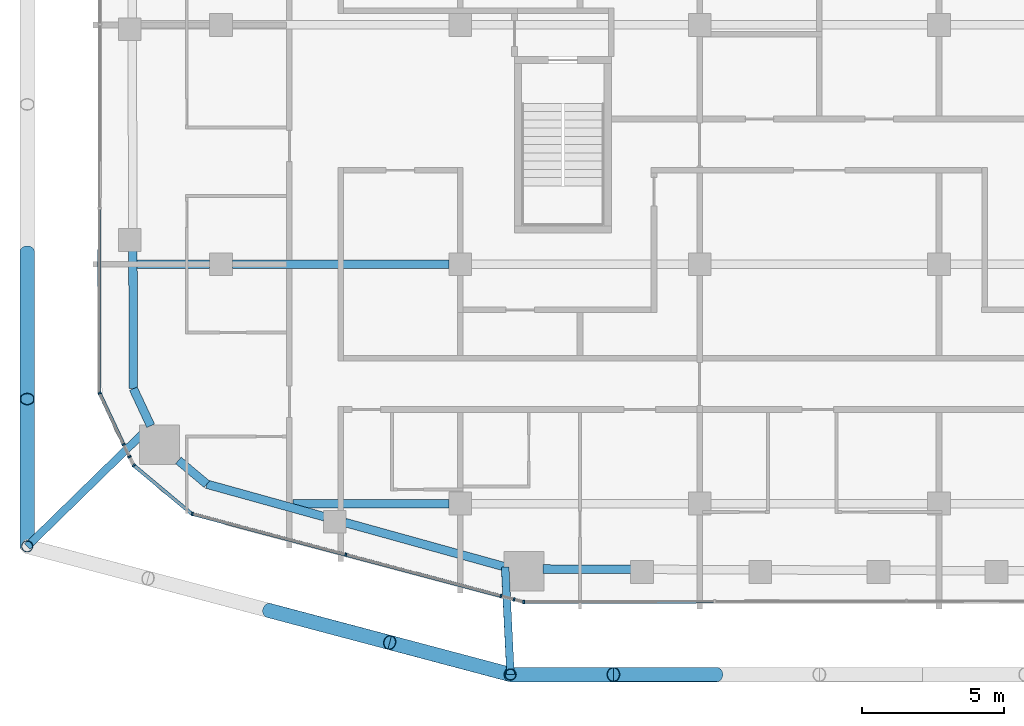
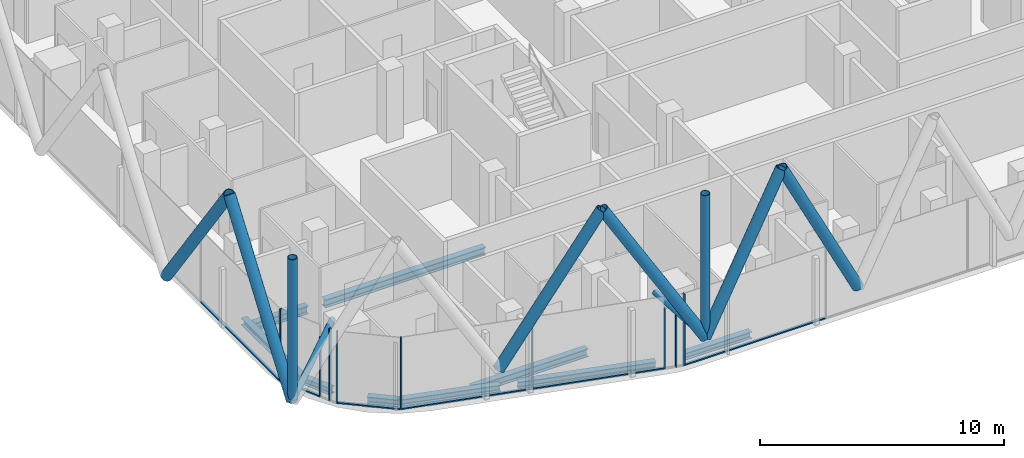
# One storey, part 2 of 28: 25 members, 9 beams, 9 elements without a shape of their own.
"""IFC4 building model written with IfcOpenShell, lengths in metres."""

from ifc_helpers import new_model, si_unit, direction, frame, origin, origin_2d, place, context, subcontext, project, spatial, rectangle, hollow_circle, i_section, extrude, material, layer, layer_set, material_profile, profile_set, type_object, element, aggregate, save


model = new_model("IFC4")

# Units and contexts
model_context = context("Model", 3, precision=1e-05, world=origin(), true_north=direction((0.0, 1.0)))
body_context = subcontext(model_context, "Body", "Model", "MODEL_VIEW")
ifc_project = project(units=[si_unit("LENGTHUNIT", "METRE"), si_unit("AREAUNIT", "SQUARE_METRE"), si_unit("VOLUMEUNIT", "CUBIC_METRE"), si_unit("PLANEANGLEUNIT", "RADIAN"), si_unit("MASSUNIT", "GRAM", prefix="KILO")], contexts=[model_context])

# Site, building, storey
site_placement = place(None, origin())
site = spatial("IfcSite", under=ifc_project, at=site_placement, CompositionType="ELEMENT")
building_placement = place(site_placement, origin())
building = spatial("IfcBuilding", under=site, at=building_placement, Name="Marenta Gate Hotel Tower", CompositionType="ELEMENT")
storey_placement = place(building_placement, frame((0.0, 0.0, 241.699951171875)))
storey = spatial("IfcBuildingStorey", under=building, at=storey_placement, Name="L57", CompositionType="ELEMENT", Elevation=241.699951171875)

# Members
ifc_material_1 = material(Name="Steel S355J2W", Category="steel")
ifc_material_profile_1 = material_profile(ifc_material_1, hollow_circle(Radius=0.203125, WallThickness=0.02490234375, at=origin_2d()), Name="CHS 406.4x25")
ifc_profile_set_1 = profile_set([ifc_material_profile_1], Name="Steel S355J2W")
member_type_1 = type_object("IfcMemberType", Name="Diagrid corner post Z3 CHS 406.4x25", PredefinedType="POST", material=ifc_profile_set_1)
for number, where, z_axis, x_axis, name in (
    (1, (-10.839111328125, -31.199951171875, 3.14013671875), (0.0, 0.0, 1.0), (1.0, 0.0, 0.0), "L57-DR-4"),
    (2, (-27.800048828125, -26.7001953125, 3.14013671875), (0.0, 0.0, 1.0), (1.0, 0.0, 0.0), "L57-DR-5"),
):
    element("IfcMember", number, at=place(storey_placement, frame(where, z_axis=z_axis, x_axis=x_axis)), inside=storey, type_object=member_type_1, Name=name, PredefinedType="POST", context=body_context, shape_type="SweptSolid", body=[
        extrude(hollow_circle(Radius=0.203125, WallThickness=0.02490234375, at=origin_2d()), origin(), (0.0, 0.0, 1.0), 7.199951171875),
    ])
ifc_material_2 = material(Name="Steel S355J2W", Category="steel")
ifc_material_profile_2 = material_profile(ifc_material_2, hollow_circle(Radius=0.25390625, WallThickness=0.02490234375, at=origin_2d()), Name="CHS 508x25")
ifc_profile_set_2 = profile_set([ifc_material_profile_2], Name="Steel S355J2W")
member_type_2 = type_object("IfcMemberType", Name="Diagrid diagonal Z3 CHS 508x25", PredefinedType="BRACE", material=ifc_profile_set_2)
for number, where, z_axis, x_axis, name in (
    (3, (-3.613037109375, -31.199951171875, 3.14013671875), (-0.44851025603, 0.0, 0.893777685018), (0.0, -1.0, 0.0), "L57-DG-19"),
    (4, (-10.839111328125, -31.199951171875, 3.14013671875), (0.44851025603, 0.0, 0.893777685018), (0.0, 1.0, 0.0), "L57-DG-20"),
):
    element("IfcMember", number, at=place(storey_placement, frame(where, z_axis=z_axis, x_axis=x_axis)), inside=storey, type_object=member_type_2, Name=name, PredefinedType="BRACE", context=body_context, shape_type="SweptSolid", body=[
        extrude(hollow_circle(Radius=0.25390625, WallThickness=0.02490234375, at=origin_2d()), origin(), (0.0, 0.0, 1.0), 8.0556640625),
    ])
for number, where, z_axis, x_axis, name in (
    (5, (-10.839111328125, -31.199951171875, 3.14013671875), (-0.502924018666, 0.133433548941, 0.853968921838), (-0.256443187528, -0.96655930577, 0.0), "L57-DG-21"),
    (6, (-19.319580078125, -28.9501953125, 3.14013671875), (0.502925961678, -0.133405107407, 0.853972221087), (0.256391194513, 0.966573098827, 0.0), "L57-DG-22"),
):
    element("IfcMember", number, at=place(storey_placement, frame(where, z_axis=z_axis, x_axis=x_axis)), inside=storey, type_object=member_type_2, Name=name, PredefinedType="BRACE", context=body_context, shape_type="SweptSolid", body=[
        extrude(hollow_circle(Radius=0.25390625, WallThickness=0.02490234375, at=origin_2d()), origin(), (0.0, 0.0, 1.0), 8.43115234375),
    ])
member_1_placement = place(storey_placement, frame((-27.800048828125, -26.7001953125, 3.14013671875), z_axis=(0.0, 0.583279014058, 0.812271870595), x_axis=(-1.0, 0.0, 0.0)))
element("IfcMember", 7, at=member_1_placement, inside=storey, type_object=member_type_2, Name="L57-DG-25", PredefinedType="BRACE", context=body_context, shape_type="SweptSolid", body=[
    extrude(hollow_circle(Radius=0.25390625, WallThickness=0.02490234375, at=origin_2d()), origin(), (0.0, 0.0, 1.0), 8.864013671875),
])
member_2_placement = place(storey_placement, frame((-27.800048828125, -16.360107421875, 3.14013671875), z_axis=(0.0, -0.583260841117, 0.812284919975), x_axis=(1.0, 0.0, 0.0)))
element("IfcMember", 8, at=member_2_placement, inside=storey, type_object=member_type_2, Name="L57-DG-26", PredefinedType="BRACE", context=body_context, shape_type="SweptSolid", body=[
    extrude(hollow_circle(Radius=0.25390625, WallThickness=0.02490234375, at=origin_2d()), origin(), (0.0, 0.0, 1.0), 8.86376953125),
])

# Beams
ifc_material_3 = material(Name="Steel S355", Category="steel")
ifc_material_profile_3 = material_profile(ifc_material_3, i_section(OverallWidth=0.300048828125, OverallDepth=0.340087890625, WebThickness=0.011962890625, FlangeThickness=0.021484375, FilletRadius=0.027099609375, at=origin_2d()), Name="HEB 340")
ifc_profile_set_3 = profile_set([ifc_material_profile_3], Name="Steel S355")
beam_type_1 = type_object("IfcBeamType", Name="Edge beam HEB 340", PredefinedType="SPANDREL", material=ifc_profile_set_3)
beam_1_placement = place(storey_placement, frame((-11.02783203125, -27.42236328125, -0.429931640625), z_axis=(-0.963619240724, 0.267278803699, 0.0), x_axis=(-0.267278803699, -0.963619240724, 0.0)))
element("IfcBeam", 9, at=beam_1_placement, inside=storey, type_object=beam_type_1, Name="L57-EB-1", PredefinedType="SPANDREL", context=body_context, shape_type="SweptSolid", body=[
    extrude(i_section(OverallWidth=0.300048828125, OverallDepth=0.340087890625, WebThickness=0.011962890625, FlangeThickness=0.021484375, FilletRadius=0.027099609375, at=origin_2d()), origin(), (0.0, 0.0, 1.0), 5.82958984375),
])
beam_2_placement = place(storey_placement, frame((-17.3681640625, -25.663818359375, -0.429931640625), z_axis=(-0.963628037304, 0.267247087396, 0.0), x_axis=(-0.267247087396, -0.963628037304, 0.0)))
element("IfcBeam", 10, at=beam_2_placement, inside=storey, type_object=beam_type_1, Name="L57-EB-2", PredefinedType="SPANDREL", context=body_context, shape_type="SweptSolid", body=[
    extrude(i_section(OverallWidth=0.300048828125, OverallDepth=0.340087890625, WebThickness=0.011962890625, FlangeThickness=0.021484375, FilletRadius=0.027099609375, at=origin_2d()), origin(), (0.0, 0.0, 1.0), 4.284423828125),
])
beam_3_placement = place(storey_placement, frame((-21.496826171875, -24.518798828125, -0.429931640625), z_axis=(-0.767065103149, 0.641569269472, 0.0), x_axis=(-0.641569269472, -0.767065103149, 0.0)))
element("IfcBeam", 11, at=beam_3_placement, inside=storey, type_object=beam_type_1, Name="L57-EB-3", PredefinedType="SPANDREL", context=body_context, shape_type="SweptSolid", body=[
    extrude(i_section(OverallWidth=0.300048828125, OverallDepth=0.340087890625, WebThickness=0.011962890625, FlangeThickness=0.021484375, FilletRadius=0.027099609375, at=origin_2d()), origin(), (0.0, 0.0, 1.0), 1.299560546875),
])
beam_4_placement = place(storey_placement, frame((-23.466796875, -22.46923828125, -0.429931640625), z_axis=(-0.423341112024, 0.905970365338, 0.0), x_axis=(-0.905970365338, -0.423341112024, 0.0)))
element("IfcBeam", 12, at=beam_4_placement, inside=storey, type_object=beam_type_1, Name="L57-EB-4", PredefinedType="SPANDREL", context=body_context, shape_type="SweptSolid", body=[
    extrude(i_section(OverallWidth=0.300048828125, OverallDepth=0.340087890625, WebThickness=0.011962890625, FlangeThickness=0.021484375, FilletRadius=0.027099609375, at=origin_2d()), origin(), (0.0, 0.0, 1.0), 1.437255859375),
])
beam_5_placement = place(storey_placement, frame((-24.0751953125, -21.167236328125, -0.429931640625), z_axis=(-0.003318732666, 0.999994492992, 0.0), x_axis=(-0.999994492992, -0.003318732666, 0.0)))
element("IfcBeam", 13, at=beam_5_placement, inside=storey, type_object=beam_type_1, Name="L57-EB-5", PredefinedType="SPANDREL", context=body_context, shape_type="SweptSolid", body=[
    extrude(i_section(OverallWidth=0.300048828125, OverallDepth=0.340087890625, WebThickness=0.011962890625, FlangeThickness=0.021484375, FilletRadius=0.027099609375, at=origin_2d()), origin(), (0.0, 0.0, 1.0), 4.855224609375),
])
beam_6_placement = place(storey_placement, frame((-6.580078125, -27.507568359375, -0.429931640625), z_axis=(-0.99999237665, 0.00390469495, 0.0), x_axis=(-0.00390469495, -0.99999237665, 0.0)))
element("IfcBeam", 14, at=beam_6_placement, inside=storey, type_object=beam_type_1, Name="L57-EB-36", PredefinedType="SPANDREL", context=body_context, shape_type="SweptSolid", body=[
    extrude(i_section(OverallWidth=0.300048828125, OverallDepth=0.340087890625, WebThickness=0.011962890625, FlangeThickness=0.021484375, FilletRadius=0.027099609375, at=origin_2d()), origin(), (0.0, 0.0, 1.0), 3.126220703125),
])

# Members
ifc_material_4 = material(Name="Steel S355J2W", Category="steel")
ifc_material_profile_4 = material_profile(ifc_material_4, hollow_circle(Radius=0.136474609375, WallThickness=0.012451171875, at=origin_2d()), Name="CHS 273x12.5")
ifc_profile_set_4 = profile_set([ifc_material_profile_4], Name="Steel S355J2W")
member_type_3 = type_object("IfcMemberType", Name="Floor tie CHS 273x12.5", PredefinedType="STRUT", material=ifc_profile_set_4)
member_3_placement = place(storey_placement, frame((-10.839111328125, -31.199951171875, 3.14013671875), z_axis=(-0.049850547476, 0.998756688546, 0.0), x_axis=(-0.998756688546, -0.049850547476, 0.0)))
element("IfcMember", 15, at=member_3_placement, inside=storey, type_object=member_type_3, Name="L57-DR-10", PredefinedType="STRUT", context=body_context, shape_type="SweptSolid", body=[
    extrude(hollow_circle(Radius=0.136474609375, WallThickness=0.012451171875, at=origin_2d()), origin(), (0.0, 0.0, 1.0), 3.77587890625),
])
member_4_placement = place(storey_placement, frame((-27.800048828125, -26.7001953125, 3.14013671875), z_axis=(0.715510328178, 0.698602154499, 0.0), x_axis=(-0.698602154499, 0.715510328178, 0.0)))
element("IfcMember", 16, at=member_4_placement, inside=storey, type_object=member_type_3, Name="L57-DR-11", PredefinedType="STRUT", context=body_context, shape_type="SweptSolid", body=[
    extrude(hollow_circle(Radius=0.136474609375, WallThickness=0.012451171875, at=origin_2d()), origin(), (0.0, 0.0, 1.0), 6.050048828125),
])

# Beams
ifc_material_5 = material(Name="Steel S355", Category="steel")
ifc_material_profile_5 = material_profile(ifc_material_5, i_section(OverallWidth=0.300048828125, OverallDepth=0.39990234375, WebThickness=0.013427734375, FlangeThickness=0.02392578125, FilletRadius=0.027099609375, at=origin_2d()), Name="HEB 400")
ifc_profile_set_5 = profile_set([ifc_material_profile_5], Name="Steel S355")
beam_type_2 = type_object("IfcBeamType", Name="Girder HEB 400", PredefinedType="BEAM", material=ifc_profile_set_5)
beam_7_placement = place(storey_placement, frame((-18.479248046875, -25.199951171875, -0.4599609375), z_axis=(1.0, 0.0, 0.0), x_axis=(0.0, 1.0, 0.0)))
element("IfcBeam", 17, at=beam_7_placement, inside=storey, type_object=beam_type_2, Name="L57-GD-1", PredefinedType="BEAM", context=body_context, shape_type="SweptSolid", body=[
    extrude(i_section(OverallWidth=0.300048828125, OverallDepth=0.39990234375, WebThickness=0.013427734375, FlangeThickness=0.02392578125, FilletRadius=0.027099609375, at=origin_2d()), origin(), (0.0, 0.0, 1.0), 5.479248046875),
])
beam_8_placement = place(storey_placement, frame((-23.939697265625, -16.800048828125, -0.4599609375), z_axis=(1.0, 0.0, 0.0), x_axis=(0.0, 1.0, 0.0)))
element("IfcBeam", 18, at=beam_8_placement, inside=storey, type_object=beam_type_2, Name="L57-GD-6", PredefinedType="BEAM", context=body_context, shape_type="SweptSolid", body=[
    extrude(i_section(OverallWidth=0.300048828125, OverallDepth=0.39990234375, WebThickness=0.013427734375, FlangeThickness=0.02392578125, FilletRadius=0.027099609375, at=origin_2d()), origin(), (0.0, 0.0, 1.0), 2.539794921875),
])
beam_9_placement = place(storey_placement, frame((-20.60009765625, -16.800048828125, -0.4599609375), z_axis=(1.0, 0.0, 0.0), x_axis=(0.0, 1.0, 0.0)))
element("IfcBeam", 19, at=beam_9_placement, inside=storey, type_object=beam_type_2, Name="L57-GD-7", PredefinedType="BEAM", context=body_context, shape_type="SweptSolid", body=[
    extrude(i_section(OverallWidth=0.300048828125, OverallDepth=0.39990234375, WebThickness=0.013427734375, FlangeThickness=0.02392578125, FilletRadius=0.027099609375, at=origin_2d()), origin(), (0.0, 0.0, 1.0), 7.60009765625),
])

# Curtain wall, member
ifc_material_6 = material(Name="Tinted insulated glass in bronze anodised frame", Category="glass")
ifc_layer = layer(ifc_material_6, 0.1201171875)
ifc_layer_set = layer_set([ifc_layer], Name="Tinted insulated glass in bronze anodised frame")
curtain_wall_type = type_object("IfcCurtainWallType", Name="Tower unitised curtain wall CW1", PredefinedType="NOTDEFINED", material=ifc_layer_set)
curtain_wall_1_placement = place(storey_placement, origin())
curtain_wall_1 = element("IfcCurtainWall", 20, at=curtain_wall_1_placement, inside=storey, type_object=curtain_wall_type, Name="CW1 run G05", PredefinedType="NOTDEFINED")
ifc_material_7 = material(Name="Bronze anodised aluminium", Category="aluminium")
ifc_material_profile_6 = material_profile(ifc_material_7, rectangle(XDim=0.1201171875, YDim=0.06005859375, at=origin_2d()), Name="Mullion CW1 60x120 bronze anodised aluminium")
ifc_profile_set_6 = profile_set([ifc_material_profile_6], Name="Bronze anodised aluminium")
member_type_4 = type_object("IfcMemberType", Name="Mullion CW1 60x120 bronze anodised aluminium", PredefinedType="MULLION", material=ifc_profile_set_6)
member_5_placement = place(storey_placement, frame((-25.26025390625, -21.321044921875, 0.0), z_axis=(0.0, 0.0, 1.0), x_axis=(0.905974826185, 0.423331565466, 0.0)))
member_5 = element("IfcMember", 21, at=member_5_placement, type_object=member_type_4, Name="CW1 mullion 1", PredefinedType="MULLION", context=body_context, shape_type="SweptSolid", body=[
    extrude(rectangle(XDim=0.1201171875, YDim=0.06005859375, at=origin_2d()), origin(), (0.0, 0.0, 1.0), 3.60009765625),
])

curtain_wall_2_placement = place(storey_placement, origin())
curtain_wall_2 = element("IfcCurtainWall", 22, at=curtain_wall_2_placement, inside=storey, type_object=curtain_wall_type, Name="CW1 run G06", PredefinedType="NOTDEFINED")
member_6_placement = place(storey_placement, frame((-24.418701171875, -23.121826171875, 0.0), z_axis=(0.0, 0.0, 1.0), x_axis=(0.905948786251, 0.423387289241, 0.0)))
member_6 = element("IfcMember", 23, at=member_6_placement, type_object=member_type_4, Name="CW1 mullion 1", PredefinedType="MULLION", context=body_context, shape_type="SweptSolid", body=[
    extrude(rectangle(XDim=0.1201171875, YDim=0.06005859375, at=origin_2d()), origin(), (0.0, 0.0, 1.0), 3.00048828125),
])
aggregate(curtain_wall_2, [member_6])

curtain_wall_3_placement = place(storey_placement, origin())
curtain_wall_3 = element("IfcCurtainWall", 24, at=curtain_wall_3_placement, inside=storey, type_object=curtain_wall_type, Name="CW1 run G07", PredefinedType="NOTDEFINED")
member_7_placement = place(storey_placement, frame((-24.215576171875, -23.556640625, 0.0), z_axis=(0.0, 0.0, 1.0), x_axis=(0.905989668401, 0.423299800084, 0.0)))
member_7 = element("IfcMember", 25, at=member_7_placement, type_object=member_type_4, Name="CW1 mullion 1", PredefinedType="MULLION", context=body_context, shape_type="SweptSolid", body=[
    extrude(rectangle(XDim=0.1201171875, YDim=0.06005859375, at=origin_2d()), origin(), (0.0, 0.0, 1.0), 3.60009765625),
])
aggregate(curtain_wall_3, [member_7])

curtain_wall_4_placement = place(storey_placement, origin())
curtain_wall_4 = element("IfcCurtainWall", 26, at=curtain_wall_4_placement, inside=storey, type_object=curtain_wall_type, Name="CW1 run G08", PredefinedType="NOTDEFINED")
member_8_placement = place(storey_placement, frame((-24.059814453125, -23.85986328125, 0.0), z_axis=(0.0, 0.0, 1.0), x_axis=(0.641524739495, 0.767102345594, 0.0)))
member_8 = element("IfcMember", 27, at=member_8_placement, type_object=member_type_4, Name="CW1 mullion 1", PredefinedType="MULLION", context=body_context, shape_type="SweptSolid", body=[
    extrude(rectangle(XDim=0.1201171875, YDim=0.06005859375, at=origin_2d()), origin(), (0.0, 0.0, 1.0), 3.60009765625),
])

# Curtain wall, members
curtain_wall_5_placement = place(storey_placement, origin())
curtain_wall_5 = element("IfcCurtainWall", 28, at=curtain_wall_5_placement, inside=storey, type_object=curtain_wall_type, Name="CW1 run G09", PredefinedType="NOTDEFINED")
member_9_placement = place(storey_placement, frame((-22.00634765625, -25.560791015625, 0.0), z_axis=(0.0, 0.0, 1.0), x_axis=(0.257131734785, 0.966376360931, 0.0)))
member_9 = element("IfcMember", 29, at=member_9_placement, type_object=member_type_4, Name="CW1 mullion 1", PredefinedType="MULLION", context=body_context, shape_type="SweptSolid", body=[
    extrude(rectangle(XDim=0.1201171875, YDim=0.06005859375, at=origin_2d()), origin(), (0.0, 0.0, 1.0), 3.60009765625),
])
member_10_placement = place(storey_placement, frame((-16.61962890625, -26.994140625, 0.0), z_axis=(0.0, 0.0, 1.0), x_axis=(0.257131734785, 0.966376360931, 0.0)))
member_10 = element("IfcMember", 30, at=member_10_placement, type_object=member_type_4, Name="CW1 mullion 2", PredefinedType="MULLION", context=body_context, shape_type="SweptSolid", body=[
    extrude(rectangle(XDim=0.1201171875, YDim=0.06005859375, at=origin_2d()), origin(), (0.0, 0.0, 1.0), 3.60009765625),
])

# Curtain wall, member
curtain_wall_6_placement = place(storey_placement, origin())
curtain_wall_6 = element("IfcCurtainWall", 31, at=curtain_wall_6_placement, inside=storey, type_object=curtain_wall_type, Name="CW1 run G10", PredefinedType="NOTDEFINED")
member_11_placement = place(storey_placement, frame((-11.1748046875, -28.44287109375, 0.0), z_axis=(0.0, 0.0, 1.0), x_axis=(0.257099982864, 0.966384808868, 0.0)))
member_11 = element("IfcMember", 32, at=member_11_placement, type_object=member_type_4, Name="CW1 mullion 1", PredefinedType="MULLION", context=body_context, shape_type="SweptSolid", body=[
    extrude(rectangle(XDim=0.1201171875, YDim=0.06005859375, at=origin_2d()), origin(), (0.0, 0.0, 1.0), 3.00048828125),
])
aggregate(curtain_wall_6, [member_11])

curtain_wall_7_placement = place(storey_placement, origin())
curtain_wall_7 = element("IfcCurtainWall", 33, at=curtain_wall_7_placement, inside=storey, type_object=curtain_wall_type, Name="CW1 run G11", PredefinedType="NOTDEFINED")
member_12_placement = place(storey_placement, frame((-10.71533203125, -28.565185546875, 0.0), z_axis=(0.0, 0.0, 1.0), x_axis=(0.257431460974, 0.966296560535, 0.0)))
member_12 = element("IfcMember", 34, at=member_12_placement, type_object=member_type_4, Name="CW1 mullion 1", PredefinedType="MULLION", context=body_context, shape_type="SweptSolid", body=[
    extrude(rectangle(XDim=0.1201171875, YDim=0.06005859375, at=origin_2d()), origin(), (0.0, 0.0, 1.0), 3.60009765625),
])
aggregate(curtain_wall_7, [member_12])

curtain_wall_8_placement = place(storey_placement, origin())
curtain_wall_8 = element("IfcCurtainWall", 35, at=curtain_wall_8_placement, inside=storey, type_object=curtain_wall_type, Name="CW1 run G12", PredefinedType="NOTDEFINED")
member_13_placement = place(storey_placement, frame((-10.3759765625, -28.6474609375, 0.0), z_axis=(0.0, 0.0, 1.0), x_axis=(-0.001643488917, 0.999998649471, 0.0)))
member_13 = element("IfcMember", 36, at=member_13_placement, type_object=member_type_4, Name="CW1 mullion 1", PredefinedType="MULLION", context=body_context, shape_type="SweptSolid", body=[
    extrude(rectangle(XDim=0.1201171875, YDim=0.06005859375, at=origin_2d()), origin(), (0.0, 0.0, 1.0), 3.60009765625),
])

curtain_wall_9_placement = place(storey_placement, origin())
curtain_wall_9 = element("IfcCurtainWall", 37, at=curtain_wall_9_placement, inside=storey, type_object=curtain_wall_type, Name="CW1 run G04", PredefinedType="NOTDEFINED")
ifc_material_8 = material(Name="Bronze anodised aluminium", Category="aluminium")
ifc_material_profile_7 = material_profile(ifc_material_8, rectangle(XDim=0.1201171875, YDim=0.06005859375, at=origin_2d()), Name="Transom CW1 60x120 bronze anodised aluminium")
ifc_profile_set_7 = profile_set([ifc_material_profile_7], Name="Bronze anodised aluminium")
member_type_5 = type_object("IfcMemberType", Name="Transom CW1 60x120 bronze anodised aluminium", PredefinedType="USERDEFINED", material=ifc_profile_set_7)
member_14_placement = place(storey_placement, frame((-25.262939453125, -14.86376953125, 0.030029296875), z_axis=(-0.001556743377, -0.999998788274, 0.0), x_axis=(0.999998788274, -0.001556743377, 0.0)))
member_14 = element("IfcMember", 38, at=member_14_placement, type_object=member_type_5, Name="CW1 transom 6.1", ObjectType="TRANSOM", PredefinedType="USERDEFINED", context=body_context, shape_type="SweptSolid", body=[
    extrude(rectangle(XDim=0.1201171875, YDim=0.06005859375, at=origin_2d()), origin(), (0.0, 0.0, 1.0), 6.429931640625),
])
aggregate(curtain_wall_9, [member_14])

# Member
member_15_placement = place(storey_placement, frame((-25.24755859375, -21.34814453125, 0.030029296875), z_axis=(0.423349902149, -0.905966257843, 0.0), x_axis=(0.905966257843, 0.423349902149, 0.0)))
member_15 = element("IfcMember", 39, at=member_15_placement, type_object=member_type_5, Name="CW1 transom 1.1", ObjectType="TRANSOM", PredefinedType="USERDEFINED", context=body_context, shape_type="SweptSolid", body=[
    extrude(rectangle(XDim=0.1201171875, YDim=0.06005859375, at=origin_2d()), origin(), (0.0, 0.0, 1.0), 1.927978515625),
])

aggregate(curtain_wall_1, [member_5, member_15])

member_16_placement = place(storey_placement, frame((-24.036865234375, -23.879150390625, 0.030029296875), z_axis=(0.767100312603, -0.641527170433, 0.0), x_axis=(0.641527170433, 0.767100312603, 0.0)))
member_16 = element("IfcMember", 40, at=member_16_placement, type_object=member_type_5, Name="CW1 transom 1.1", ObjectType="TRANSOM", PredefinedType="USERDEFINED", context=body_context, shape_type="SweptSolid", body=[
    extrude(rectangle(XDim=0.1201171875, YDim=0.06005859375, at=origin_2d()), origin(), (0.0, 0.0, 1.0), 2.609130859375),
])

aggregate(curtain_wall_4, [member_8, member_16])

member_17_placement = place(storey_placement, frame((-21.977294921875, -25.568603515625, 0.030029296875), z_axis=(0.96638102535, -0.257114203895, 0.0), x_axis=(0.257114203895, 0.96638102535, 0.0)))
member_17 = element("IfcMember", 41, at=member_17_placement, type_object=member_type_5, Name="CW1 transom 1.1", ObjectType="TRANSOM", PredefinedType="USERDEFINED", context=body_context, shape_type="SweptSolid", body=[
    extrude(rectangle(XDim=0.1201171875, YDim=0.06005859375, at=origin_2d()), origin(), (0.0, 0.0, 1.0), 5.513916015625),
])

member_18_placement = place(storey_placement, frame((-16.590576171875, -27.001708984375, 0.030029296875), z_axis=(0.966373646518, -0.257141936127, 0.0), x_axis=(0.257141936127, 0.966373646518, 0.0)))
member_18 = element("IfcMember", 42, at=member_18_placement, type_object=member_type_5, Name="CW1 transom 2.1", ObjectType="TRANSOM", PredefinedType="USERDEFINED", context=body_context, shape_type="SweptSolid", body=[
    extrude(rectangle(XDim=0.1201171875, YDim=0.06005859375, at=origin_2d()), origin(), (0.0, 0.0, 1.0), 5.57421875),
])

aggregate(curtain_wall_5, [member_9, member_10, member_17, member_18])

member_19_placement = place(storey_placement, frame((-10.345947265625, -28.6474609375, 0.030029296875), z_axis=(0.99999863267, 0.001653679938, 0.0), x_axis=(-0.001653679938, 0.99999863267, 0.0)))
member_19 = element("IfcMember", 43, at=member_19_placement, type_object=member_type_5, Name="CW1 transom 1.1", ObjectType="TRANSOM", PredefinedType="USERDEFINED", context=body_context, shape_type="SweptSolid", body=[
    extrude(rectangle(XDim=0.1201171875, YDim=0.06005859375, at=origin_2d()), origin(), (0.0, 0.0, 1.0), 6.6435546875),
])

aggregate(curtain_wall_8, [member_13, member_19])

save(model, "model.ifc")
